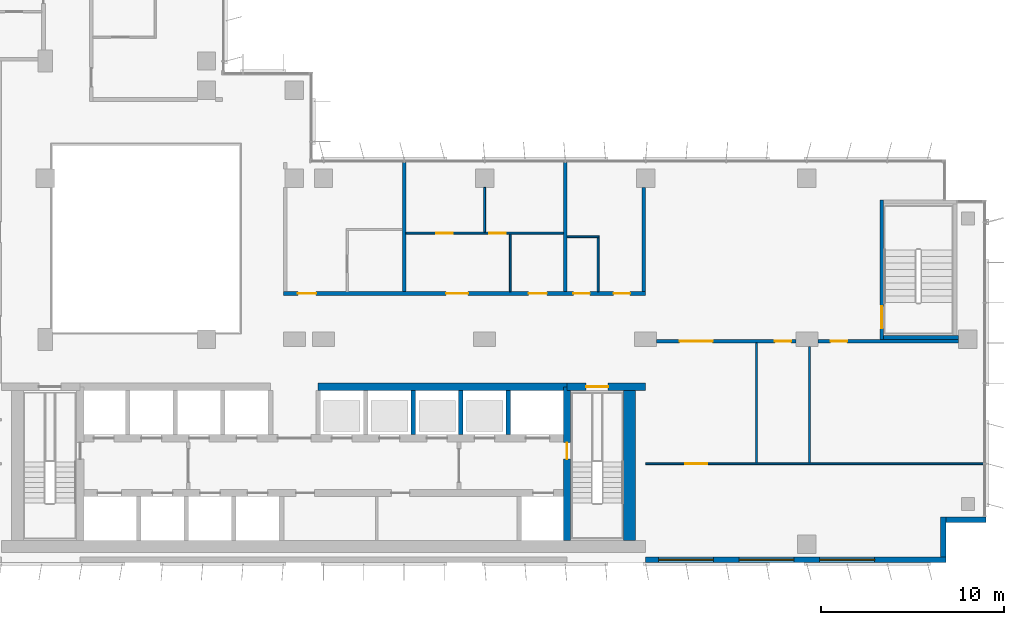
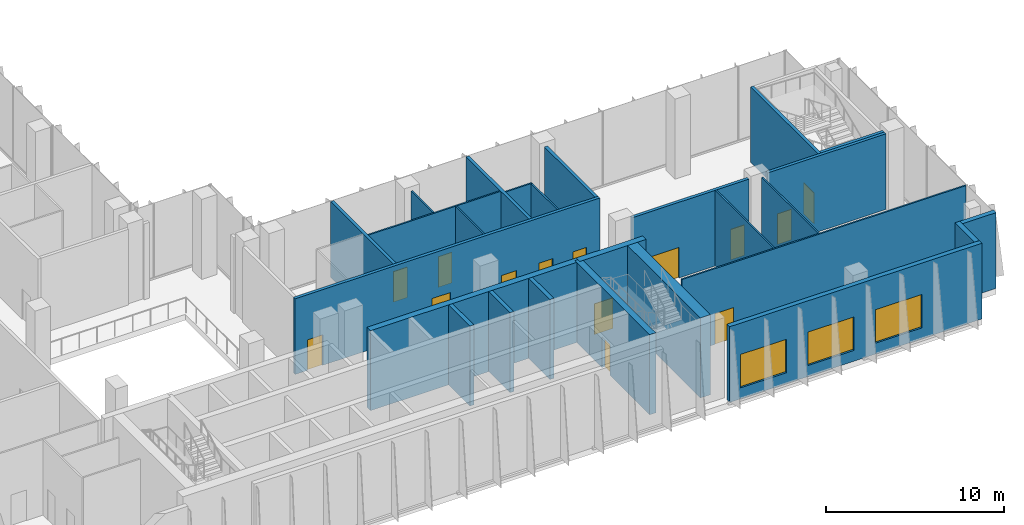
# One storey, part 15 of 24: 26 walls, 14 doors, 3 windows, 17 openings.
"""IFC4 building model written with IfcOpenShell, lengths in metres."""

from ifc_helpers import new_model, si_unit, direction, frame, frame_2d, origin, place, context, subcontext, project, spatial, rectangle, extrude, material, layer, layer_set, type_object, element, fill, save


model = new_model("IFC4")

# Units and contexts
model_context = context("Model", 3, precision=1e-05, world=origin(), true_north=direction((0.0, 1.0)))
body_context = subcontext(model_context, "Body", "Model", "MODEL_VIEW")
ifc_project = project(units=[si_unit("LENGTHUNIT", "METRE"), si_unit("AREAUNIT", "SQUARE_METRE"), si_unit("VOLUMEUNIT", "CUBIC_METRE"), si_unit("PLANEANGLEUNIT", "RADIAN"), si_unit("MASSUNIT", "GRAM", prefix="KILO")], contexts=[model_context])

# Site, building, storey
site_placement = place(None, origin())
site = spatial("IfcSite", under=ifc_project, at=site_placement, CompositionType="ELEMENT")
building_placement = place(site_placement, origin())
building = spatial("IfcBuilding", under=site, at=building_placement, Name="Kemantara Hotel Tower", CompositionType="ELEMENT")
storey_placement = place(building_placement, frame((0.0, 0.0, 202.5)))
storey = spatial("IfcBuildingStorey", under=building, at=storey_placement, Name="L50", CompositionType="ELEMENT", Elevation=202.5)

# Wall, openings, windows
ifc_material_1 = material(Name="Bronze anodised aluminium cladding on insulated steel stud wall", Category="steel")
ifc_layer_1 = layer(ifc_material_1, 0.300048828125)
ifc_layer_set_1 = layer_set([ifc_layer_1], Name="Bronze anodised aluminium cladding on insulated steel stud wall")
wall_type_1 = type_object("IfcWallType", Name="BRONZE METAL-CLAD EXTERNAL WALL 300", PredefinedType="STANDARD", material=ifc_layer_set_1)
wall_1_placement = place(storey_placement, frame((45.0, 0.14990234375, 0.0), z_axis=(0.0, 0.0, 1.0), x_axis=(1.0, 0.0, 0.0)))
wall_1 = element("IfcWall", 1, at=wall_1_placement, inside=storey, type_object=wall_type_1, Name="EXTERNAL WALL L50 T3S-R09-3", PredefinedType="STANDARD", context=body_context, shape_type="SweptSolid", body=[
    extrude(rectangle(XDim=16.39990234375, YDim=0.300048828125, at=frame_2d((8.199951171875, 0.0))), origin(), (0.0, 0.0, 1.0), 5.199951171875),
])
opening_1_placement = place(wall_1_placement, frame((0.699951171875, 0.0, 0.75)))
opening_1 = element("IfcOpeningElement", 2, at=opening_1_placement, cuts=wall_1, Name="Opening W1", PredefinedType="OPENING", context=body_context, shape_type="SweptSolid", body=[
    extrude(rectangle(XDim=3.0, YDim=2.300048828125, at=frame_2d((1.5, 1.14990234375))), frame((0.0, 0.159912109375, 0.0), z_axis=(0.0, -1.0, 0.0), x_axis=(1.0, 0.0, 0.0)), (0.0, 0.0, 1.0), 0.320068359375),
])
opening_2_placement = place(wall_1_placement, frame((5.10009765625, 0.0, 0.75)))
opening_2 = element("IfcOpeningElement", 3, at=opening_2_placement, cuts=wall_1, Name="Opening W1", PredefinedType="OPENING", context=body_context, shape_type="SweptSolid", body=[
    extrude(rectangle(XDim=3.0, YDim=2.300048828125, at=frame_2d((1.5, 1.14990234375))), frame((0.0, 0.159912109375, 0.0), z_axis=(0.0, -1.0, 0.0), x_axis=(1.0, 0.0, 0.0)), (0.0, 0.0, 1.0), 0.320068359375),
])
opening_3_placement = place(wall_1_placement, frame((9.5, 0.0, 0.75)))
opening_3 = element("IfcOpeningElement", 4, at=opening_3_placement, cuts=wall_1, Name="Opening W1", PredefinedType="OPENING", context=body_context, shape_type="SweptSolid", body=[
    extrude(rectangle(XDim=3.0, YDim=2.300048828125, at=frame_2d((1.5, 1.14990234375))), frame((0.0, 0.159912109375, 0.0), z_axis=(0.0, -1.0, 0.0), x_axis=(1.0, 0.0, 0.0)), (0.0, 0.0, 1.0), 0.320068359375),
])
ifc_material_2 = material(Name="Low-E tinted double insulated glass in bronze anodised aluminium frame", Category="aluminium")
window_type = type_object("IfcWindowType", Name="CHICAGO WINDOW, TRIPLE PANEL 3000x2300", PartitioningType="TRIPLE_PANEL_VERTICAL", PredefinedType="WINDOW", material=ifc_material_2)
window_1_placement = place(opening_1_placement, origin())
window_1 = element("IfcWindow", 5, at=window_1_placement, inside=storey, type_object=window_type, Name="CHICAGO WINDOW L50 T3S-R09-450", OverallHeight=2.300048828125, OverallWidth=3.0, PartitioningType="SINGLE_PANEL", PredefinedType="WINDOW", context=body_context, shape_type="SweptSolid", body=[
    extrude(rectangle(XDim=3.0, YDim=2.300048828125, at=frame_2d((1.5, 1.14990234375))), frame((0.0, 0.030029296875, 0.0), z_axis=(0.0, -1.0, 0.0), x_axis=(1.0, 0.0, 0.0)), (0.0, 0.0, 1.0), 0.06005859375),
])
fill(opening_1, window_1)
window_2_placement = place(opening_2_placement, origin())
window_2 = element("IfcWindow", 6, at=window_2_placement, inside=storey, type_object=window_type, Name="CHICAGO WINDOW L50 T3S-R09-494", OverallHeight=2.300048828125, OverallWidth=3.0, PartitioningType="SINGLE_PANEL", PredefinedType="WINDOW", context=body_context, shape_type="SweptSolid", body=[
    extrude(rectangle(XDim=3.0, YDim=2.300048828125, at=frame_2d((1.5, 1.14990234375))), frame((0.0, 0.030029296875, 0.0), z_axis=(0.0, -1.0, 0.0), x_axis=(1.0, 0.0, 0.0)), (0.0, 0.0, 1.0), 0.06005859375),
])
fill(opening_2, window_2)
window_3_placement = place(opening_3_placement, origin())
window_3 = element("IfcWindow", 7, at=window_3_placement, inside=storey, type_object=window_type, Name="CHICAGO WINDOW L50 T3S-R09-538", OverallHeight=2.300048828125, OverallWidth=3.0, PartitioningType="SINGLE_PANEL", PredefinedType="WINDOW", context=body_context, shape_type="SweptSolid", body=[
    extrude(rectangle(XDim=3.0, YDim=2.300048828125, at=frame_2d((1.5, 1.14990234375))), frame((0.0, 0.030029296875, 0.0), z_axis=(0.0, -1.0, 0.0), x_axis=(1.0, 0.0, 0.0)), (0.0, 0.0, 1.0), 0.06005859375),
])
fill(opening_3, window_3)

# Walls
wall_2_placement = place(storey_placement, frame((61.25, 0.300048828125, 0.0), z_axis=(0.0, 0.0, 1.0), x_axis=(0.0, 1.0, 0.0)))
element("IfcWall", 8, at=wall_2_placement, inside=storey, type_object=wall_type_1, Name="EXTERNAL WALL L50 T3S-R10", PredefinedType="STANDARD", context=body_context, shape_type="SweptSolid", body=[
    extrude(rectangle(XDim=2.199951171875, YDim=0.300048828125, at=frame_2d((1.10009765625, 0.0))), origin(), (0.0, 0.0, 1.0), 5.199951171875),
])
wall_3_placement = place(storey_placement, frame((61.39990234375, 2.35009765625, 0.0), z_axis=(0.0, 0.0, 1.0), x_axis=(1.0, 0.0, 0.0)))
element("IfcWall", 9, at=wall_3_placement, inside=storey, type_object=wall_type_1, Name="EXTERNAL WALL L50 T3S-R11", PredefinedType="STANDARD", context=body_context, shape_type="SweptSolid", body=[
    extrude(rectangle(XDim=2.2001953125, YDim=0.300048828125, at=frame_2d((1.10009765625, 0.0))), origin(), (0.0, 0.0, 1.0), 5.199951171875),
])
ifc_material_3 = material(Name="Concrete fc 60 MPa", Category="concrete")
ifc_layer_2 = layer(ifc_material_3, 0.25)
ifc_layer_set_2 = layer_set([ifc_layer_2], Name="Concrete fc 60 MPa")
wall_type_2 = type_object("IfcWallType", Name="CORE WALL 250 FC60", PredefinedType="SHEAR", material=ifc_layer_set_2)
for number, where, z_axis, x_axis, name in (
    (10, (32.300048828125, 7.0, 0.0), (0.0, 0.0, 1.0), (0.0, 1.0, 0.0), "CORE WALL CW-DN32.3"),
    (11, (34.89990234375, 7.0, 0.0), (0.0, 0.0, 1.0), (0.0, 1.0, 0.0), "CORE WALL CW-DN34.9"),
    (12, (37.5, 7.0, 0.0), (0.0, 0.0, 1.0), (0.0, 1.0, 0.0), "CORE WALL CW-DN37.5"),
):
    element("IfcWall", number, at=place(storey_placement, frame(where, z_axis=z_axis, x_axis=x_axis)), inside=storey, type_object=wall_type_2, Name=name, PredefinedType="SHEAR", context=body_context, shape_type="SweptSolid", body=[
        extrude(rectangle(XDim=2.39990234375, YDim=0.25, at=frame_2d((1.199951171875, 0.0))), origin(), (0.0, 0.0, 1.0), 5.5),
    ])

# Wall, opening, door
ifc_layer_3 = layer(ifc_material_3, 0.39990234375)
ifc_layer_set_3 = layer_set([ifc_layer_3], Name="Concrete fc 60 MPa")
wall_type_3 = type_object("IfcWallType", Name="CORE WALL 400 FC60", PredefinedType="SHEAR", material=ifc_layer_set_3)
wall_4_placement = place(storey_placement, frame((40.699951171875, 9.60009765625, 0.0), z_axis=(0.0, 0.0, 1.0), x_axis=(1.0, 0.0, 0.0)))
wall_4 = element("IfcWall", 13, at=wall_4_placement, inside=storey, type_object=wall_type_3, Name="CORE WALL CW-N2", PredefinedType="SHEAR", context=body_context, shape_type="SweptSolid", body=[
    extrude(rectangle(XDim=4.300048828125, YDim=0.39990234375, at=frame_2d((2.14990234375, 0.0))), origin(), (0.0, 0.0, 1.0), 5.5),
])
opening_4_placement = place(wall_4_placement, frame((1.050048828125, 0.0, 0.0)))
opening_4 = element("IfcOpeningElement", 14, at=opening_4_placement, cuts=wall_4, Name="Opening C31-ST2-C", PredefinedType="OPENING", context=body_context, shape_type="SweptSolid", body=[
    extrude(rectangle(XDim=1.199951171875, YDim=2.10009765625, at=frame_2d((0.60009765625, 1.050048828125))), frame((0.0, 0.2099609375, 0.0), z_axis=(0.0, -1.0, 0.0), x_axis=(1.0, 0.0, 0.0)), (0.0, 0.0, 1.0), 0.419921875),
])
ifc_material_4 = material(Name="Steel fire door", Category="steel")
door_type_1 = type_object("IfcDoorType", Name="Fire door FD90 1200 x 2100", OperationType="NOTDEFINED", PredefinedType="DOOR", material=ifc_material_4)
door_1_placement = place(opening_4_placement, frame((1.199951171875, 0.0, 0.0), z_axis=(0.0, 0.0, 1.0), x_axis=(-1.0, 0.0, 0.0)))
door_1 = element("IfcDoor", 15, at=door_1_placement, inside=storey, type_object=door_type_1, Name="Stair ST2 door to corridor", OperationType="SINGLE_SWING_RIGHT", OverallHeight=2.10009765625, OverallWidth=1.199951171875, PredefinedType="DOOR", context=body_context, shape_type="SweptSolid", body=[
    extrude(rectangle(XDim=1.199951171875, YDim=2.10009765625, at=frame_2d((0.60009765625, 1.050048828125))), frame((0.0, 0.02490234375, 0.0), z_axis=(0.0, -1.0, 0.0), x_axis=(1.0, 0.0, 0.0)), (0.0, 0.0, 1.0), 0.050048828125),
])
fill(opening_4, door_1)

# Wall
wall_5_placement = place(storey_placement, frame((27.10009765625, 9.60009765625, 0.0), z_axis=(0.0, 0.0, 1.0), x_axis=(1.0, 0.0, 0.0)))
element("IfcWall", 16, at=wall_5_placement, inside=storey, type_object=wall_type_3, Name="CORE WALL CW-NN2", PredefinedType="SHEAR", context=body_context, shape_type="SweptSolid", body=[
    extrude(rectangle(XDim=13.599853515625, YDim=0.39990234375, at=frame_2d((6.7998046875, 0.0))), origin(), (0.0, 0.0, 1.0), 5.5),
])

# Wall, opening, door
wall_6_placement = place(storey_placement, frame((40.699951171875, 1.199951171875, 0.0), z_axis=(0.0, 0.0, 1.0), x_axis=(0.0, 1.0, 0.0)))
wall_6 = element("IfcWall", 17, at=wall_6_placement, inside=storey, type_object=wall_type_3, Name="CORE WALL CW-ST2W", PredefinedType="SHEAR", context=body_context, shape_type="SweptSolid", body=[
    extrude(rectangle(XDim=8.400146484375, YDim=0.39990234375, at=frame_2d((4.2001953125, 0.0))), origin(), (0.0, 0.0, 1.0), 5.5),
])
opening_5_placement = place(wall_6_placement, frame((4.449951171875, 0.0, 0.0)))
opening_5 = element("IfcOpeningElement", 18, at=opening_5_placement, cuts=wall_6, Name="Opening C31-ST2-F", PredefinedType="OPENING", context=body_context, shape_type="SweptSolid", body=[
    extrude(rectangle(XDim=0.89990234375, YDim=2.10009765625, at=frame_2d((0.449951171875, 1.050048828125))), frame((0.0, 0.2099609375, 0.0), z_axis=(0.0, -1.0, 0.0), x_axis=(1.0, 0.0, 0.0)), (0.0, 0.0, 1.0), 0.419921875),
])
door_type_2 = type_object("IfcDoorType", Name="Fire door FD90 900 x 2100", OperationType="NOTDEFINED", PredefinedType="DOOR", material=ifc_material_4)
door_2_placement = place(opening_5_placement, frame((0.89990234375, 0.0, 0.0), z_axis=(0.0, 0.0, 1.0), x_axis=(-1.0, 0.0, 0.0)))
door_2 = element("IfcDoor", 19, at=door_2_placement, inside=storey, type_object=door_type_2, Name="Stair ST2 door to firefighting lobby", OperationType="SINGLE_SWING_LEFT", OverallHeight=2.10009765625, OverallWidth=0.89990234375, PredefinedType="DOOR", context=body_context, shape_type="SweptSolid", body=[
    extrude(rectangle(XDim=0.89990234375, YDim=2.10009765625, at=frame_2d((0.449951171875, 1.050048828125))), frame((0.0, 0.02490234375, 0.0), z_axis=(0.0, -1.0, 0.0), x_axis=(1.0, 0.0, 0.0)), (0.0, 0.0, 1.0), 0.050048828125),
])
fill(opening_5, door_2)

# Wall
ifc_layer_4 = layer(ifc_material_3, 0.64990234375)
ifc_layer_set_4 = layer_set([ifc_layer_4], Name="Concrete fc 60 MPa")
wall_type_4 = type_object("IfcWallType", Name="CORE WALL 650 FC60", PredefinedType="SHEAR", material=ifc_layer_set_4)
wall_7_placement = place(storey_placement, frame((44.125, 1.199951171875, 0.0), z_axis=(0.0, 0.0, 1.0), x_axis=(0.0, 1.0, 0.0)))
element("IfcWall", 20, at=wall_7_placement, inside=storey, type_object=wall_type_4, Name="CORE WALL CW-E", PredefinedType="SHEAR", context=body_context, shape_type="SweptSolid", body=[
    extrude(rectangle(XDim=8.60009765625, YDim=0.64990234375, at=frame_2d((4.300048828125, 0.0))), origin(), (0.0, 0.0, 1.0), 5.5),
])

# Wall, openings, doors
ifc_material_5 = material(Name="Gypsum board partition, steel studs and mineral wool, 200 mm", Category="steel")
ifc_layer_5 = layer(ifc_material_5, 0.199951171875)
ifc_layer_set_5 = layer_set([ifc_layer_5], Name="Gypsum board partition, steel studs and mineral wool, 200 mm")
wall_type_5 = type_object("IfcWallType", Name="CORRIDOR WALL 200", PredefinedType="PARTITIONING", material=ifc_layer_set_5)
wall_8_placement = place(storey_placement, frame((53.199951171875, 12.10009765625, 0.0), z_axis=(0.0, 0.0, 1.0), x_axis=(-1.0, 0.0, 0.0)))
wall_8 = element("IfcWall", 21, at=wall_8_placement, inside=storey, type_object=wall_type_5, Name="CORRIDOR WALL 200 001", PredefinedType="PARTITIONING", context=body_context, shape_type="SweptSolid", body=[
    extrude(rectangle(XDim=7.599853515625, YDim=0.199951171875, at=frame_2d((3.7998046875, 0.0))), origin(), (0.0, 0.0, 1.0), 5.199951171875),
])
opening_6_placement = place(wall_8_placement, frame((4.5498046875, 0.0, 0.0)))
opening_6 = element("IfcOpeningElement", 22, at=opening_6_placement, cuts=wall_8, Name="Opening F24-001", PredefinedType="OPENING", context=body_context, shape_type="SweptSolid", body=[
    extrude(rectangle(XDim=1.800048828125, YDim=2.10009765625, at=frame_2d((0.89990234375, 1.050048828125))), frame((0.0, 0.10986328125, 0.0), z_axis=(0.0, -1.0, 0.0), x_axis=(1.0, 0.0, 0.0)), (0.0, 0.0, 1.0), 0.219970703125),
])
opening_7_placement = place(wall_8_placement, frame((0.25, 0.0, 0.0)))
opening_7 = element("IfcOpeningElement", 23, at=opening_7_placement, cuts=wall_8, Name="Opening F24-002", PredefinedType="OPENING", context=body_context, shape_type="SweptSolid", body=[
    extrude(rectangle(XDim=0.89990234375, YDim=2.10009765625, at=frame_2d((0.449951171875, 1.050048828125))), frame((0.0, 0.10986328125, 0.0), z_axis=(0.0, -1.0, 0.0), x_axis=(1.0, 0.0, 0.0)), (0.0, 0.0, 1.0), 0.219970703125),
])
ifc_material_6 = material(Name="Hardwood veneer door leaf with steel frame", Category="steel")
door_type_3 = type_object("IfcDoorType", Name="AMENITY ROOM DOOR 1800 X 2100 FD30S", OperationType="NOTDEFINED", PredefinedType="DOOR", material=ifc_material_6)
door_3_placement = place(opening_6_placement, origin())
door_3 = element("IfcDoor", 24, at=door_3_placement, inside=storey, type_object=door_type_3, Name="AMENITY ROOM DOOR F24-001", OperationType="DOUBLE_DOOR_SINGLE_SWING", OverallHeight=2.10009765625, OverallWidth=1.800048828125, PredefinedType="DOOR", context=body_context, shape_type="SweptSolid", body=[
    extrude(rectangle(XDim=1.800048828125, YDim=2.10009765625, at=frame_2d((0.89990234375, 1.050048828125))), frame((0.0, 0.02490234375, 0.0), z_axis=(0.0, -1.0, 0.0), x_axis=(1.0, 0.0, 0.0)), (0.0, 0.0, 1.0), 0.050048828125),
])
fill(opening_6, door_3)
door_type_4 = type_object("IfcDoorType", Name="AMENITY ROOM DOOR 900 X 2100 FD30S", OperationType="NOTDEFINED", PredefinedType="DOOR", material=ifc_material_6)
door_4_placement = place(opening_7_placement, origin())
door_4 = element("IfcDoor", 25, at=door_4_placement, inside=storey, type_object=door_type_4, Name="AMENITY ROOM DOOR F24-002", OperationType="SINGLE_SWING_RIGHT", OverallHeight=2.10009765625, OverallWidth=0.89990234375, PredefinedType="DOOR", context=body_context, shape_type="SweptSolid", body=[
    extrude(rectangle(XDim=0.89990234375, YDim=2.10009765625, at=frame_2d((0.449951171875, 1.050048828125))), frame((0.0, 0.02490234375, 0.0), z_axis=(0.0, -1.0, 0.0), x_axis=(1.0, 0.0, 0.0)), (0.0, 0.0, 1.0), 0.050048828125),
])
fill(opening_7, door_4)

# Wall, opening, door
wall_9_placement = place(storey_placement, frame((62.099853515625, 12.10009765625, 0.0), z_axis=(0.0, 0.0, 1.0), x_axis=(-1.0, 0.0, 0.0)))
wall_9 = element("IfcWall", 26, at=wall_9_placement, inside=storey, type_object=wall_type_5, Name="CORRIDOR WALL 200 002", PredefinedType="PARTITIONING", context=body_context, shape_type="SweptSolid", body=[
    extrude(rectangle(XDim=7.69970703125, YDim=0.199951171875, at=frame_2d((3.849853515625, 0.0))), origin(), (0.0, 0.0, 1.0), 5.199951171875),
])
opening_8_placement = place(wall_9_placement, frame((6.099853515625, 0.0, 0.0)))
opening_8 = element("IfcOpeningElement", 27, at=opening_8_placement, cuts=wall_9, Name="Opening F24-003", PredefinedType="OPENING", context=body_context, shape_type="SweptSolid", body=[
    extrude(rectangle(XDim=0.89990234375, YDim=2.10009765625, at=frame_2d((0.449951171875, 1.050048828125))), frame((0.0, 0.10986328125, 0.0), z_axis=(0.0, -1.0, 0.0), x_axis=(1.0, 0.0, 0.0)), (0.0, 0.0, 1.0), 0.219970703125),
])
door_5_placement = place(opening_8_placement, origin())
door_5 = element("IfcDoor", 28, at=door_5_placement, inside=storey, type_object=door_type_4, Name="AMENITY ROOM DOOR F24-003", OperationType="SINGLE_SWING_RIGHT", OverallHeight=2.10009765625, OverallWidth=0.89990234375, PredefinedType="DOOR", context=body_context, shape_type="SweptSolid", body=[
    extrude(rectangle(XDim=0.89990234375, YDim=2.10009765625, at=frame_2d((0.449951171875, 1.050048828125))), frame((0.0, 0.02490234375, 0.0), z_axis=(0.0, -1.0, 0.0), x_axis=(1.0, 0.0, 0.0)), (0.0, 0.0, 1.0), 0.050048828125),
])
fill(opening_8, door_5)

# Wall, openings, doors
wall_10_placement = place(storey_placement, frame((25.199951171875, 14.699951171875, 0.0), z_axis=(0.0, 0.0, 1.0), x_axis=(1.0, 0.0, 0.0)))
wall_10 = element("IfcWall", 29, at=wall_10_placement, inside=storey, type_object=wall_type_5, Name="CORRIDOR WALL 200 003", PredefinedType="PARTITIONING", context=body_context, shape_type="SweptSolid", body=[
    extrude(rectangle(XDim=19.800048828125, YDim=0.199951171875, at=frame_2d((9.89990234375, 0.0))), origin(), (0.0, 0.0, 1.0), 5.199951171875),
])
opening_9_placement = place(wall_10_placement, frame((0.800048828125, 0.0, 0.0)))
opening_9 = element("IfcOpeningElement", 30, at=opening_9_placement, cuts=wall_10, Name="Opening F24-005", PredefinedType="OPENING", context=body_context, shape_type="SweptSolid", body=[
    extrude(rectangle(XDim=1.0, YDim=2.10009765625, at=frame_2d((0.5, 1.050048828125))), frame((0.0, 0.10986328125, 0.0), z_axis=(0.0, -1.0, 0.0), x_axis=(1.0, 0.0, 0.0)), (0.0, 0.0, 1.0), 0.219970703125),
])
opening_10_placement = place(wall_10_placement, frame((13.39990234375, 0.0, 0.0)))
opening_10 = element("IfcOpeningElement", 31, at=opening_10_placement, cuts=wall_10, Name="Opening F24-007", PredefinedType="OPENING", context=body_context, shape_type="SweptSolid", body=[
    extrude(rectangle(XDim=1.0, YDim=2.10009765625, at=frame_2d((0.5, 1.050048828125))), frame((0.0, 0.10986328125, 0.0), z_axis=(0.0, -1.0, 0.0), x_axis=(1.0, 0.0, 0.0)), (0.0, 0.0, 1.0), 0.219970703125),
])
opening_11_placement = place(wall_10_placement, frame((8.89990234375, 0.0, 0.0)))
opening_11 = element("IfcOpeningElement", 32, at=opening_11_placement, cuts=wall_10, Name="Opening F24-008", PredefinedType="OPENING", context=body_context, shape_type="SweptSolid", body=[
    extrude(rectangle(XDim=1.199951171875, YDim=2.10009765625, at=frame_2d((0.60009765625, 1.050048828125))), frame((0.0, 0.10986328125, 0.0), z_axis=(0.0, -1.0, 0.0), x_axis=(1.0, 0.0, 0.0)), (0.0, 0.0, 1.0), 0.219970703125),
])
opening_12_placement = place(wall_10_placement, frame((18.050048828125, 0.0, 0.0)))
opening_12 = element("IfcOpeningElement", 33, at=opening_12_placement, cuts=wall_10, Name="Opening F24-011", PredefinedType="OPENING", context=body_context, shape_type="SweptSolid", body=[
    extrude(rectangle(XDim=0.89990234375, YDim=2.10009765625, at=frame_2d((0.449951171875, 1.050048828125))), frame((0.0, 0.10986328125, 0.0), z_axis=(0.0, -1.0, 0.0), x_axis=(1.0, 0.0, 0.0)), (0.0, 0.0, 1.0), 0.219970703125),
])
opening_13_placement = place(wall_10_placement, frame((15.85009765625, 0.0, 0.0)))
opening_13 = element("IfcOpeningElement", 34, at=opening_13_placement, cuts=wall_10, Name="Opening F24-012", PredefinedType="OPENING", context=body_context, shape_type="SweptSolid", body=[
    extrude(rectangle(XDim=0.89990234375, YDim=2.10009765625, at=frame_2d((0.449951171875, 1.050048828125))), frame((0.0, 0.10986328125, 0.0), z_axis=(0.0, -1.0, 0.0), x_axis=(1.0, 0.0, 0.0)), (0.0, 0.0, 1.0), 0.219970703125),
])
door_type_5 = type_object("IfcDoorType", Name="GUEST ROOM DOOR 1000 X 2100 FD30S", OperationType="NOTDEFINED", PredefinedType="DOOR", material=ifc_material_6)
door_6_placement = place(opening_9_placement, origin())
door_6 = element("IfcDoor", 35, at=door_6_placement, inside=storey, type_object=door_type_5, Name="GUEST ROOM DOOR F24-005", OperationType="SINGLE_SWING_LEFT", OverallHeight=2.10009765625, OverallWidth=1.0, PredefinedType="DOOR", context=body_context, shape_type="SweptSolid", body=[
    extrude(rectangle(XDim=1.0, YDim=2.10009765625, at=frame_2d((0.5, 1.050048828125))), frame((0.0, 0.02490234375, 0.0), z_axis=(0.0, -1.0, 0.0), x_axis=(1.0, 0.0, 0.0)), (0.0, 0.0, 1.0), 0.050048828125),
])
fill(opening_9, door_6)
door_type_6 = type_object("IfcDoorType", Name="GUEST ROOM DOOR 1200 X 2100 FD30S", OperationType="NOTDEFINED", PredefinedType="DOOR", material=ifc_material_6)
door_7_placement = place(opening_11_placement, origin())
door_7 = element("IfcDoor", 36, at=door_7_placement, inside=storey, type_object=door_type_6, Name="GUEST ROOM DOOR F24-008", OperationType="SINGLE_SWING_LEFT", OverallHeight=2.10009765625, OverallWidth=1.199951171875, PredefinedType="DOOR", context=body_context, shape_type="SweptSolid", body=[
    extrude(rectangle(XDim=1.199951171875, YDim=2.10009765625, at=frame_2d((0.60009765625, 1.050048828125))), frame((0.0, 0.02490234375, 0.0), z_axis=(0.0, -1.0, 0.0), x_axis=(1.0, 0.0, 0.0)), (0.0, 0.0, 1.0), 0.050048828125),
])
fill(opening_11, door_7)
ifc_material_7 = material(Name="Steel door leaf with steel frame", Category="steel")
door_type_7 = type_object("IfcDoorType", Name="SERVICE ROOM DOOR 1000 X 2100 FD60", OperationType="NOTDEFINED", PredefinedType="DOOR", material=ifc_material_7)
door_8_placement = place(opening_10_placement, origin())
door_8 = element("IfcDoor", 37, at=door_8_placement, inside=storey, type_object=door_type_7, Name="SERVICE ROOM DOOR F24-007", OperationType="SINGLE_SWING_RIGHT", OverallHeight=2.10009765625, OverallWidth=1.0, PredefinedType="DOOR", context=body_context, shape_type="SweptSolid", body=[
    extrude(rectangle(XDim=1.0, YDim=2.10009765625, at=frame_2d((0.5, 1.050048828125))), frame((0.0, 0.02490234375, 0.0), z_axis=(0.0, -1.0, 0.0), x_axis=(1.0, 0.0, 0.0)), (0.0, 0.0, 1.0), 0.050048828125),
])
fill(opening_10, door_8)
door_type_8 = type_object("IfcDoorType", Name="SERVICE ROOM DOOR 900 X 2100 FD60", OperationType="NOTDEFINED", PredefinedType="DOOR", material=ifc_material_7)
door_9_placement = place(opening_12_placement, origin())
door_9 = element("IfcDoor", 38, at=door_9_placement, inside=storey, type_object=door_type_8, Name="SERVICE ROOM DOOR F24-011", OperationType="SINGLE_SWING_RIGHT", OverallHeight=2.10009765625, OverallWidth=0.89990234375, PredefinedType="DOOR", context=body_context, shape_type="SweptSolid", body=[
    extrude(rectangle(XDim=0.89990234375, YDim=2.10009765625, at=frame_2d((0.449951171875, 1.050048828125))), frame((0.0, 0.02490234375, 0.0), z_axis=(0.0, -1.0, 0.0), x_axis=(1.0, 0.0, 0.0)), (0.0, 0.0, 1.0), 0.050048828125),
])
fill(opening_12, door_9)
door_10_placement = place(opening_13_placement, origin())
door_10 = element("IfcDoor", 39, at=door_10_placement, inside=storey, type_object=door_type_8, Name="SERVICE ROOM DOOR F24-012", OperationType="SINGLE_SWING_LEFT", OverallHeight=2.10009765625, OverallWidth=0.89990234375, PredefinedType="DOOR", context=body_context, shape_type="SweptSolid", body=[
    extrude(rectangle(XDim=0.89990234375, YDim=2.10009765625, at=frame_2d((0.449951171875, 1.050048828125))), frame((0.0, 0.02490234375, 0.0), z_axis=(0.0, -1.0, 0.0), x_axis=(1.0, 0.0, 0.0)), (0.0, 0.0, 1.0), 0.050048828125),
])
fill(opening_13, door_10)

# Wall, opening, door
ifc_material_8 = material(Name="Concrete fc 40 MPa", Category="concrete")
ifc_layer_6 = layer(ifc_material_8, 0.199951171875)
ifc_layer_set_6 = layer_set([ifc_layer_6], Name="Concrete fc 40 MPa")
wall_type_6 = type_object("IfcWallType", Name="Concrete stair wall 200 mm", PredefinedType="SHEAR", material=ifc_layer_set_6)
wall_11_placement = place(storey_placement, frame((57.89990234375, 12.199951171875, 0.0), z_axis=(0.0, 0.0, 1.0), x_axis=(0.0, 1.0, 0.0)))
wall_11 = element("IfcWall", 40, at=wall_11_placement, inside=storey, type_object=wall_type_6, Name="Stair ST3 enclosure wall with door", PredefinedType="SHEAR", context=body_context, shape_type="SweptSolid", body=[
    extrude(rectangle(XDim=7.60009765625, YDim=0.199951171875, at=frame_2d((3.800048828125, 0.0))), origin(), (0.0, 0.0, 1.0), 5.199951171875),
])
opening_14_placement = place(wall_11_placement, frame((0.60009765625, 0.0, 0.0)))
opening_14 = element("IfcOpeningElement", 41, at=opening_14_placement, cuts=wall_11, Name="Opening ST3-C", PredefinedType="OPENING", context=body_context, shape_type="SweptSolid", body=[
    extrude(rectangle(XDim=1.199951171875, YDim=2.10009765625, at=frame_2d((0.60009765625, 1.050048828125))), frame((0.0, 0.10986328125, 0.0), z_axis=(0.0, -1.0, 0.0), x_axis=(1.0, 0.0, 0.0)), (0.0, 0.0, 1.0), 0.219970703125),
])
door_11_placement = place(opening_14_placement, frame((1.199951171875, 0.0, 0.0), z_axis=(0.0, 0.0, 1.0), x_axis=(-1.0, 0.0, 0.0)))
door_11 = element("IfcDoor", 42, at=door_11_placement, inside=storey, type_object=door_type_1, Name="Stair ST3 door", OperationType="SINGLE_SWING_RIGHT", OverallHeight=2.10009765625, OverallWidth=1.199951171875, PredefinedType="DOOR", context=body_context, shape_type="SweptSolid", body=[
    extrude(rectangle(XDim=1.199951171875, YDim=2.10009765625, at=frame_2d((0.60009765625, 1.050048828125))), frame((0.0, 0.02490234375, 0.0), z_axis=(0.0, -1.0, 0.0), x_axis=(1.0, 0.0, 0.0)), (0.0, 0.0, 1.0), 0.050048828125),
])
fill(opening_14, door_11)

# Walls
wall_12_placement = place(storey_placement, frame((58.0, 12.300048828125, 0.0), z_axis=(0.0, 0.0, 1.0), x_axis=(1.0, 0.0, 0.0)))
element("IfcWall", 43, at=wall_12_placement, inside=storey, type_object=wall_type_6, Name="Stair ST3 enclosure wall S", PredefinedType="SHEAR", context=body_context, shape_type="SweptSolid", body=[
    extrude(rectangle(XDim=4.10009765625, YDim=0.199951171875, at=frame_2d((2.050048828125, 0.0))), origin(), (0.0, 0.0, 1.0), 5.199951171875),
])
ifc_layer_7 = layer(ifc_material_5, 0.199951171875)
ifc_layer_set_7 = layer_set([ifc_layer_7], Name="Gypsum board partition, steel studs and mineral wool, 200 mm")
wall_type_7 = type_object("IfcWallType", Name="GUEST ROOM PARTY WALL 200", PredefinedType="PARTITIONING", material=ifc_layer_set_7)
for number, where, z_axis, x_axis, name in (
    (44, (31.800048828125, 14.800048828125, 0.0), (0.0, 0.0, 1.0), (0.0, 1.0, 0.0), "GUEST ROOM PARTY WALL 200 006"),
    (45, (40.60009765625, 14.800048828125, 0.0), (0.0, 0.0, 1.0), (0.0, 1.0, 0.0), "GUEST ROOM PARTY WALL 200 007"),
):
    element("IfcWall", number, at=place(storey_placement, frame(where, z_axis=z_axis, x_axis=x_axis)), inside=storey, type_object=wall_type_7, Name=name, PredefinedType="PARTITIONING", context=body_context, shape_type="SweptSolid", body=[
        extrude(rectangle(XDim=7.070068359375, YDim=0.199951171875, at=frame_2d((3.53515625, 0.0))), origin(), (0.0, 0.0, 1.0), 5.199951171875),
    ])
wall_13_placement = place(storey_placement, frame((44.89990234375, 14.800048828125, 0.0), z_axis=(0.0, 0.0, 1.0), x_axis=(0.0, 1.0, 0.0)))
element("IfcWall", 46, at=wall_13_placement, inside=storey, type_object=wall_type_7, Name="GUEST ROOM PARTY WALL 200 008", PredefinedType="PARTITIONING", context=body_context, shape_type="SweptSolid", body=[
    extrude(rectangle(XDim=5.699951171875, YDim=0.199951171875, at=frame_2d((2.85009765625, 0.0))), origin(), (0.0, 0.0, 1.0), 5.199951171875),
])

# Wall, opening, door
ifc_material_9 = material(Name="Gypsum board partition on steel studs, 100 mm", Category="steel")
ifc_layer_8 = layer(ifc_material_9, 0.10009765625)
ifc_layer_set_8 = layer_set([ifc_layer_8], Name="Gypsum board partition on steel studs, 100 mm")
wall_type_8 = type_object("IfcWallType", Name="ROOM PARTITION 100", PredefinedType="PARTITIONING", material=ifc_layer_set_8)
wall_14_placement = place(storey_placement, frame((63.469970703125, 5.39990234375, 0.0), z_axis=(0.0, 0.0, 1.0), x_axis=(-1.0, 0.0, 0.0)))
wall_14 = element("IfcWall", 47, at=wall_14_placement, inside=storey, type_object=wall_type_8, Name="ROOM PARTITION 100 026", PredefinedType="PARTITIONING", context=body_context, shape_type="SweptSolid", body=[
    extrude(rectangle(XDim=18.469970703125, YDim=0.10009765625, at=frame_2d((9.23486328125, 0.0))), origin(), (0.0, 0.0, 1.0), 5.199951171875),
])
opening_15_placement = place(wall_14_placement, frame((15.1201171875, 0.0, 0.0)))
opening_15 = element("IfcOpeningElement", 48, at=opening_15_placement, cuts=wall_14, Name="Opening F24-004", PredefinedType="OPENING", context=body_context, shape_type="SweptSolid", body=[
    extrude(rectangle(XDim=1.199951171875, YDim=2.10009765625, at=frame_2d((0.60009765625, 1.050048828125))), frame((0.0, 0.06005859375, 0.0), z_axis=(0.0, -1.0, 0.0), x_axis=(1.0, 0.0, 0.0)), (0.0, 0.0, 1.0), 0.1201171875),
])
door_type_9 = type_object("IfcDoorType", Name="INTERNAL DOOR 1200 X 2100", OperationType="NOTDEFINED", PredefinedType="DOOR", material=ifc_material_6)
door_12_placement = place(opening_15_placement, origin())
door_12 = element("IfcDoor", 49, at=door_12_placement, inside=storey, type_object=door_type_9, Name="INTERNAL DOOR F24-004", OperationType="SINGLE_SWING_RIGHT", OverallHeight=2.10009765625, OverallWidth=1.199951171875, PredefinedType="DOOR", context=body_context, shape_type="SweptSolid", body=[
    extrude(rectangle(XDim=1.199951171875, YDim=2.10009765625, at=frame_2d((0.60009765625, 1.050048828125))), frame((0.0, 0.02490234375, 0.0), z_axis=(0.0, -1.0, 0.0), x_axis=(1.0, 0.0, 0.0)), (0.0, 0.0, 1.0), 0.050048828125),
])
fill(opening_15, door_12)

# Walls
wall_15_placement = place(storey_placement, frame((51.050048828125, 5.449951171875, 0.0), z_axis=(0.0, 0.0, 1.0), x_axis=(0.0, 1.0, 0.0)))
element("IfcWall", 50, at=wall_15_placement, inside=storey, type_object=wall_type_8, Name="ROOM PARTITION 100 027", PredefinedType="PARTITIONING", context=body_context, shape_type="SweptSolid", body=[
    extrude(rectangle(XDim=6.550048828125, YDim=0.10009765625, at=frame_2d((3.27490234375, 0.0))), origin(), (0.0, 0.0, 1.0), 5.199951171875),
])
wall_16_placement = place(storey_placement, frame((53.949951171875, 5.449951171875, 0.0), z_axis=(0.0, 0.0, 1.0), x_axis=(0.0, 1.0, 0.0)))
element("IfcWall", 51, at=wall_16_placement, inside=storey, type_object=wall_type_8, Name="ROOM PARTITION 100 028", PredefinedType="PARTITIONING", context=body_context, shape_type="SweptSolid", body=[
    extrude(rectangle(XDim=6.349853515625, YDim=0.10009765625, at=frame_2d((3.1748046875, 0.0))), origin(), (0.0, 0.0, 1.0), 5.199951171875),
])

# Wall, openings, doors
wall_17_placement = place(storey_placement, frame((31.89990234375, 18.0, 0.0), z_axis=(0.0, 0.0, 1.0), x_axis=(1.0, 0.0, 0.0)))
wall_17 = element("IfcWall", 52, at=wall_17_placement, inside=storey, type_object=wall_type_8, Name="ROOM PARTITION 100 031", PredefinedType="PARTITIONING", context=body_context, shape_type="SweptSolid", body=[
    extrude(rectangle(XDim=8.60009765625, YDim=0.10009765625, at=frame_2d((4.300048828125, 0.0))), origin(), (0.0, 0.0, 1.0), 5.199951171875),
])
opening_16_placement = place(wall_17_placement, frame((4.550048828125, 0.0, 0.0)))
opening_16 = element("IfcOpeningElement", 53, at=opening_16_placement, cuts=wall_17, Name="Opening F24-009", PredefinedType="OPENING", context=body_context, shape_type="SweptSolid", body=[
    extrude(rectangle(XDim=0.89990234375, YDim=2.10009765625, at=frame_2d((0.449951171875, 1.050048828125))), frame((0.0, 0.06005859375, 0.0), z_axis=(0.0, -1.0, 0.0), x_axis=(1.0, 0.0, 0.0)), (0.0, 0.0, 1.0), 0.1201171875),
])
opening_17_placement = place(wall_17_placement, frame((1.64990234375, 0.0, 0.0)))
opening_17 = element("IfcOpeningElement", 54, at=opening_17_placement, cuts=wall_17, Name="Opening F24-010", PredefinedType="OPENING", context=body_context, shape_type="SweptSolid", body=[
    extrude(rectangle(XDim=0.89990234375, YDim=2.10009765625, at=frame_2d((0.449951171875, 1.050048828125))), frame((0.0, 0.06005859375, 0.0), z_axis=(0.0, -1.0, 0.0), x_axis=(1.0, 0.0, 0.0)), (0.0, 0.0, 1.0), 0.1201171875),
])
door_type_10 = type_object("IfcDoorType", Name="INTERNAL DOOR 900 X 2100", OperationType="NOTDEFINED", PredefinedType="DOOR", material=ifc_material_6)
door_13_placement = place(opening_16_placement, origin())
door_13 = element("IfcDoor", 55, at=door_13_placement, inside=storey, type_object=door_type_10, Name="INTERNAL DOOR F24-009", OperationType="SINGLE_SWING_LEFT", OverallHeight=2.10009765625, OverallWidth=0.89990234375, PredefinedType="DOOR", context=body_context, shape_type="SweptSolid", body=[
    extrude(rectangle(XDim=0.89990234375, YDim=2.10009765625, at=frame_2d((0.449951171875, 1.050048828125))), frame((0.0, 0.02490234375, 0.0), z_axis=(0.0, -1.0, 0.0), x_axis=(1.0, 0.0, 0.0)), (0.0, 0.0, 1.0), 0.050048828125),
])
fill(opening_16, door_13)
door_14_placement = place(opening_17_placement, origin())
door_14 = element("IfcDoor", 56, at=door_14_placement, inside=storey, type_object=door_type_10, Name="INTERNAL DOOR F24-010", OperationType="SINGLE_SWING_LEFT", OverallHeight=2.10009765625, OverallWidth=0.89990234375, PredefinedType="DOOR", context=body_context, shape_type="SweptSolid", body=[
    extrude(rectangle(XDim=0.89990234375, YDim=2.10009765625, at=frame_2d((0.449951171875, 1.050048828125))), frame((0.0, 0.02490234375, 0.0), z_axis=(0.0, -1.0, 0.0), x_axis=(1.0, 0.0, 0.0)), (0.0, 0.0, 1.0), 0.050048828125),
])
fill(opening_17, door_14)

# Walls
wall_18_placement = place(storey_placement, frame((37.60009765625, 14.800048828125, 0.0), z_axis=(0.0, 0.0, 1.0), x_axis=(0.0, 1.0, 0.0)))
element("IfcWall", 57, at=wall_18_placement, inside=storey, type_object=wall_type_8, Name="ROOM PARTITION 100 032", PredefinedType="PARTITIONING", context=body_context, shape_type="SweptSolid", body=[
    extrude(rectangle(XDim=3.14990234375, YDim=0.10009765625, at=frame_2d((1.574951171875, 0.0))), origin(), (0.0, 0.0, 1.0), 5.199951171875),
])
wall_19_placement = place(storey_placement, frame((36.199951171875, 18.050048828125, 0.0), z_axis=(0.0, 0.0, 1.0), x_axis=(0.0, 1.0, 0.0)))
element("IfcWall", 58, at=wall_19_placement, inside=storey, type_object=wall_type_8, Name="ROOM PARTITION 100 033", PredefinedType="PARTITIONING", context=body_context, shape_type="SweptSolid", body=[
    extrude(rectangle(XDim=2.449951171875, YDim=0.10009765625, at=frame_2d((1.22509765625, 0.0))), origin(), (0.0, 0.0, 1.0), 5.199951171875),
])
wall_20_placement = place(storey_placement, frame((40.699951171875, 17.800048828125, 0.0), z_axis=(0.0, 0.0, 1.0), x_axis=(1.0, 0.0, 0.0)))
element("IfcWall", 59, at=wall_20_placement, inside=storey, type_object=wall_type_8, Name="ROOM PARTITION 100 034", PredefinedType="PARTITIONING", context=body_context, shape_type="SweptSolid", body=[
    extrude(rectangle(XDim=1.75, YDim=0.10009765625, at=frame_2d((0.875, 0.0))), origin(), (0.0, 0.0, 1.0), 5.199951171875),
])
wall_21_placement = place(storey_placement, frame((42.39990234375, 14.800048828125, 0.0), z_axis=(0.0, 0.0, 1.0), x_axis=(0.0, 1.0, 0.0)))
element("IfcWall", 60, at=wall_21_placement, inside=storey, type_object=wall_type_8, Name="ROOM PARTITION 100 035", PredefinedType="PARTITIONING", context=body_context, shape_type="SweptSolid", body=[
    extrude(rectangle(XDim=2.949951171875, YDim=0.10009765625, at=frame_2d((1.47509765625, 0.0))), origin(), (0.0, 0.0, 1.0), 5.199951171875),
])

save(model, "model.ifc")
